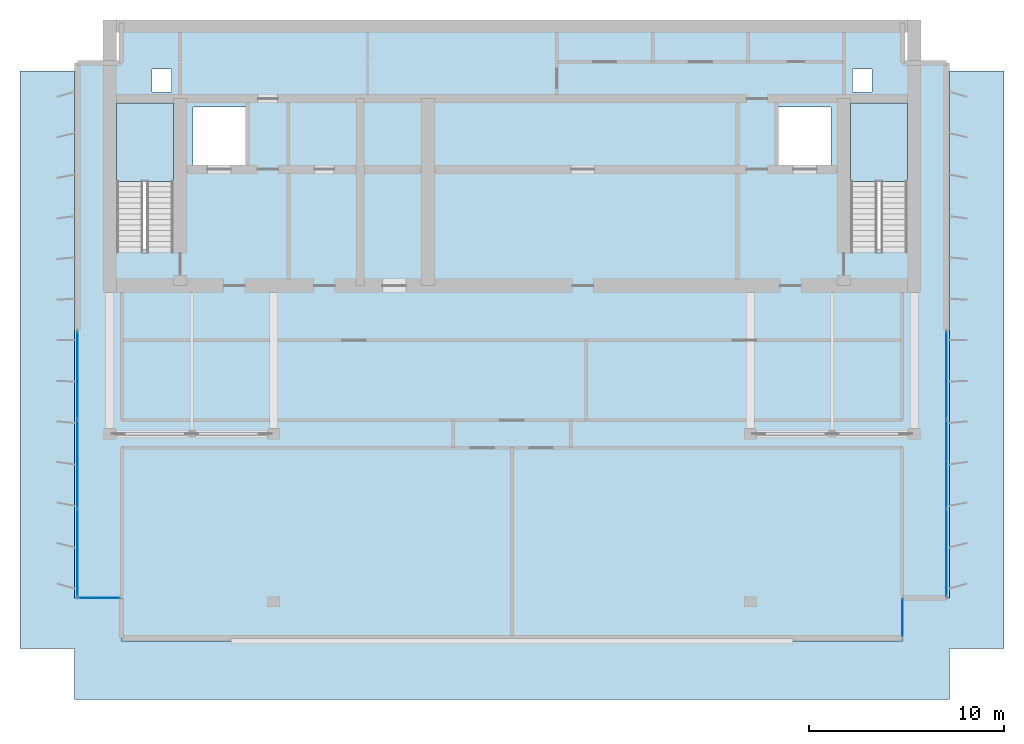
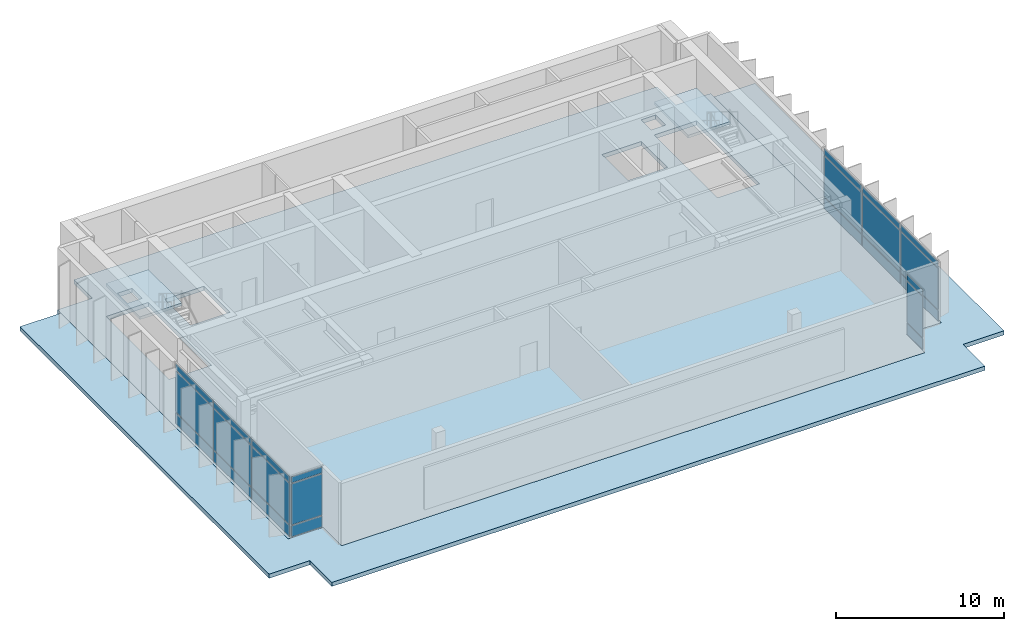
# One storey, part 4 of 10: 24 plates, 4 slabs, 6 elements without a shape of their own.
"""IFC4 building model written with IfcOpenShell, lengths in metres."""

import ifcopenshell
import ifcopenshell.guid

model = None  # the IFC model being written
_history = None  # IfcOwnerHistory: only IFC2X3 demands one
_inside = {}  # id of a spatial element -> (the spatial element, [elements in it])
_under = {}  # id of a project, library or spatial element -> (it, [spatial elements below it])
_declared = {}  # id of a project -> (the project, [libraries it declares])
_typed = {}  # id of a type object -> (the type object, [elements of that type])
_made_of = {}  # id of a material, layer set ... -> (it, [elements and type objects made of it])


def new_model(schema):
    """Start an empty IFC model of exactly this schema.

    Asked for "IFC4X3", IfcOpenShell would pick the latest addendum, in which some entities
    have other attributes; the version numbers below select the first issue.
    IFC2X3 requires an IfcOwnerHistory on every rooted entity: one is made here for all.
    """
    global model, _history
    if schema == "IFC4X3":
        model = ifcopenshell.file(schema_version=(4, 3, 0, 0))
    else:
        model = ifcopenshell.file(schema=schema)
    _inside.clear()
    _under.clear()
    _declared.clear()
    _typed.clear()
    _made_of.clear()
    _history = None
    if model.schema == "IFC2X3":
        org = make("IfcOrganization", Name="unknown")
        user = make(
            "IfcPersonAndOrganization",
            ThePerson=make("IfcPerson", FamilyName="unknown"),
            TheOrganization=org,
        )
        app = make(
            "IfcApplication",
            ApplicationDeveloper=org,
            Version="unknown",
            ApplicationFullName="unknown",
            ApplicationIdentifier="unknown",
        )
        _history = make(
            "IfcOwnerHistory",
            OwningUser=user,
            OwningApplication=app,
            ChangeAction="ADDED",
            CreationDate=0,
        )
    return model


def make(cls, **values):
    """One entity of the class cls with the attributes given. An attribute that is None is left unset."""
    return model.create_entity(
        cls, **{name: value for name, value in values.items() if value is not None}
    )


def rooted(cls, **values):
    """An entity with a GlobalId (a new one), such as an element, a storey or a relation."""
    return make(cls, GlobalId=ifcopenshell.guid.new(), OwnerHistory=_history, **values)


def si_unit(unit_type, name, prefix=None):
    """IfcSIUnit, for example si_unit("LENGTHUNIT", "METRE", prefix="MILLI")."""
    return make("IfcSIUnit", UnitType=unit_type, Prefix=prefix, Name=name)


def assignment(units):
    """IfcUnitAssignment: the units of a project."""
    return None if units is None else make("IfcUnitAssignment", Units=units)


def point(xyz):
    """IfcCartesianPoint."""
    return None if xyz is None else make("IfcCartesianPoint", Coordinates=xyz)


def direction(xyz):
    """IfcDirection."""
    return None if xyz is None else make("IfcDirection", DirectionRatios=xyz)


def frame(location, z_axis=None, x_axis=None):
    """IfcAxis2Placement3D, a coordinate frame: its origin and axes. An axis left out is left unset."""
    return make(
        "IfcAxis2Placement3D",
        Location=point(location),
        Axis=direction(z_axis),
        RefDirection=direction(x_axis),
    )


def frame_2d(location, x_axis=None):
    """IfcAxis2Placement2D, a coordinate frame in the plane: its origin and x axis."""
    return make(
        "IfcAxis2Placement2D", Location=point(location), RefDirection=direction(x_axis)
    )


def origin():
    """The frame at (0, 0, 0) with its axes left unset."""
    return frame((0.0, 0.0, 0.0))


def origin_2d():
    """The frame at (0, 0) in the plane with its x axis left unset."""
    return frame_2d((0.0, 0.0))


def place(relative_to, where):
    """IfcLocalPlacement: puts the frame where relative to a parent placement (None: the world)."""
    return make(
        "IfcLocalPlacement", PlacementRelTo=relative_to, RelativePlacement=where
    )


def context(
    kind, dimensions, precision=None, world=None, true_north=None, identifier=None
):
    """IfcGeometricRepresentationContext, for example the 3D "Model" context."""
    return make(
        "IfcGeometricRepresentationContext",
        ContextIdentifier=identifier,
        ContextType=kind,
        CoordinateSpaceDimension=dimensions,
        Precision=precision,
        WorldCoordinateSystem=world,
        TrueNorth=true_north,
    )


def subcontext(parent, identifier, kind, view, scale=None):
    """IfcGeometricRepresentationSubContext, for example "Body" below "Model"."""
    return make(
        "IfcGeometricRepresentationSubContext",
        ContextIdentifier=identifier,
        ContextType=kind,
        ParentContext=parent,
        TargetScale=scale,
        TargetView=view,
    )


def project(units=None, contexts=None):
    """IfcProject with its units and contexts."""
    return rooted(
        "IfcProject",
        Name="project",
        RepresentationContexts=contexts,
        UnitsInContext=assignment(units),
    )


def spatial(cls, under=None, at=None, **own):
    """A site, building, storey or space (cls), placed at a placement, below another one or the project."""
    s = rooted(cls, ObjectPlacement=at, **own)
    if under is not None:
        _under.setdefault(under.id(), (under, []))[1].append(s)
    return s


def polyline(points):
    """IfcPolyline through the points."""
    return make("IfcPolyline", Points=[point(p) for p in points])


def profile(cls, at=None, kind="AREA", **sizes):
    """A parametric profile (cls). Its sizes go by their IFC names, for example OverallWidth=200.0."""
    return make(cls, ProfileType=kind, Position=at, **sizes)


def rectangle(**sizes):
    """IfcRectangleProfileDef."""
    return profile("IfcRectangleProfileDef", **sizes)


def outline(outer, holes=None, kind="AREA"):
    """IfcArbitraryClosedProfileDef: a profile drawn as a closed curve; with holes, ...WithVoids."""
    if holes is None:
        return make("IfcArbitraryClosedProfileDef", ProfileType=kind, OuterCurve=outer)
    return make(
        "IfcArbitraryProfileDefWithVoids",
        ProfileType=kind,
        OuterCurve=outer,
        InnerCurves=holes,
    )


def extrude(swept, where, along, depth):
    """IfcExtrudedAreaSolid: the profile swept, set in the frame where, extruded along a direction by depth."""
    return make(
        "IfcExtrudedAreaSolid",
        SweptArea=swept,
        Position=where,
        ExtrudedDirection=direction(along),
        Depth=depth,
    )


def shape(context_of_items, identifier, shape_type, items):
    """IfcShapeRepresentation: the items that make up one representation, for example the "Body"."""
    return make(
        "IfcShapeRepresentation",
        ContextOfItems=context_of_items,
        RepresentationIdentifier=identifier,
        RepresentationType=shape_type,
        Items=items,
    )


def material(Name=None, Category=None):
    """IfcMaterial."""
    return make("IfcMaterial", Name=Name, Category=Category)


def layer(
    of_material, thickness, ventilated=None, Name=None, Category=None, Priority=None
):
    """IfcMaterialLayer: one layer of a wall or slab, of a material (None: an air gap)."""
    return make(
        "IfcMaterialLayer",
        Material=of_material,
        LayerThickness=thickness,
        IsVentilated=ventilated,
        Name=Name,
        Category=Category,
        Priority=Priority,
    )


def layer_set(layers, Name=None):
    """IfcMaterialLayerSet."""
    return make("IfcMaterialLayerSet", MaterialLayers=layers, LayerSetName=Name)


def made_of(thing, what):
    """Note that an element or type object is made of a material, layer set ...; save() writes the relation."""
    if what is not None:
        _made_of.setdefault(what.id(), (what, []))[1].append(thing)
    return thing


def type_object(cls, material=None, **own):
    """A type object (cls), such as IfcWallType, which elements share."""
    return made_of(rooted(cls, **own), material)


def element(
    cls,
    number,
    at=None,
    inside=None,
    cuts=None,
    type_object=None,
    material=None,
    context=None,
    identifier="Body",
    shape_type=None,
    held_by="IfcProductDefinitionShape",
    body=None,
    shapes=None,
    **own,
):
    """One element of the class cls, such as IfcWall. Its Tag is "e" and its number.

    at: its placement. inside: the storey or other place that contains it. cuts: it is an
    opening in that element (IfcRelVoidsElement). A single representation is given by context,
    identifier, shape_type and body (its items); several are given by shapes. held_by: the class
    of the entity that holds the representations. save() writes the other relations.
    """
    e = rooted(cls, Tag="e%d" % number, ObjectPlacement=at, **own)
    if body is not None:
        shapes = [shape(context, identifier, shape_type, body)]
    if shapes is not None:
        e.Representation = make(held_by, Representations=shapes)
    if inside is not None:
        _inside.setdefault(inside.id(), (inside, []))[1].append(e)
    if cuts is not None:
        rooted(
            "IfcRelVoidsElement", RelatingBuildingElement=cuts, RelatedOpeningElement=e
        )
    if type_object is not None:
        _typed.setdefault(type_object.id(), (type_object, []))[1].append(e)
    return made_of(e, material)


def aggregate(whole, parts):
    """IfcRelAggregates: a whole, such as a stair, and the parts it consists of."""
    return rooted("IfcRelAggregates", RelatingObject=whole, RelatedObjects=parts)


def save(model, path):
    """Write the relations noted so far, then the file.

    IfcRelAggregates (storeys below a building ...), IfcRelContainedInSpatialStructure (elements
    in a storey), IfcRelDefinesByType, IfcRelAssociatesMaterial and IfcRelDeclares: one each for
    every whole, place, type object, material and project.
    """
    for whole, parts in _under.values():
        aggregate(whole, parts)
    for where, things in _inside.values():
        rooted(
            "IfcRelContainedInSpatialStructure",
            RelatedElements=things,
            RelatingStructure=where,
        )
    for kind, things in _typed.values():
        rooted("IfcRelDefinesByType", RelatedObjects=things, RelatingType=kind)
    for what, things in _made_of.values():
        rooted("IfcRelAssociatesMaterial", RelatedObjects=things, RelatingMaterial=what)
    for by, libraries in _declared.values():
        rooted("IfcRelDeclares", RelatingContext=by, RelatedDefinitions=libraries)
    model.write(path)


model = new_model("IFC4")

# Units and contexts
model_context = context("Model", 3, precision=1e-05, world=origin(), true_north=direction((0.0, 1.0)))
body_context = subcontext(model_context, "Body", "Model", "MODEL_VIEW")
ifc_project = project(units=[si_unit("LENGTHUNIT", "METRE"), si_unit("AREAUNIT", "SQUARE_METRE"), si_unit("VOLUMEUNIT", "CUBIC_METRE"), si_unit("PLANEANGLEUNIT", "RADIAN"), si_unit("MASSUNIT", "GRAM", prefix="KILO")], contexts=[model_context])

# Site, building, storey
site_placement = place(None, origin())
site = spatial("IfcSite", under=ifc_project, at=site_placement, CompositionType="ELEMENT")
building_placement = place(site_placement, origin())
building = spatial("IfcBuilding", under=site, at=building_placement, Name="Caelmar Bay Residences", CompositionType="ELEMENT")
storey_placement = place(building_placement, frame((0.0, 0.0, 295.60009765625)))
storey = spatial("IfcBuildingStorey", under=building, at=storey_placement, Name="L81", CompositionType="ELEMENT", Elevation=295.60009765625)

# Curtain wall, plates
ifc_material_1 = material(Name="Anodised bronze aluminium 6063-T6 and laminated glass", Category="aluminium")
ifc_layer_1 = layer(ifc_material_1, 0.179931640625)
ifc_layer_set_1 = layer_set([ifc_layer_1], Name="Anodised bronze aluminium 6063-T6 and laminated glass")
curtain_wall_type_1 = type_object("IfcCurtainWallType", Name="CW6-NTC", PredefinedType="NOTDEFINED", material=ifc_layer_set_1)
curtain_wall_1_placement = place(storey_placement, origin())
curtain_wall_1 = element("IfcCurtainWall", 1, at=curtain_wall_1_placement, inside=storey, type_object=curtain_wall_type_1, Name="CW6 curtain wall L81", PredefinedType="NOTDEFINED")
ifc_material_2 = material(Name="Bronze-tinted laminated low-E hurricane glass 28 mm", Category="glass")
ifc_layer_2 = layer(ifc_material_2, 0.028076171875)
ifc_layer_set_2 = layer_set([ifc_layer_2], Name="Bronze-tinted laminated low-E hurricane glass 28 mm")
plate_type_1 = type_object("IfcPlateType", Name="CWP-GLZ28", PredefinedType="CURTAIN_PANEL", material=ifc_layer_set_2)
plate_1_placement = place(storey_placement, frame((17.77490234375, 21.0, 0.080078125), z_axis=(0.0, 0.0, 1.0), x_axis=(1.0, 0.0, 0.0)))
plate_1 = element("IfcPlate", 2, at=plate_1_placement, type_object=plate_type_1, Name="CW6 panel 1.1", PredefinedType="CURTAIN_PANEL", context=body_context, shape_type="SweptSolid", body=[
    extrude(rectangle(XDim=2.090087890625, YDim=0.028076171875, at=origin_2d()), origin(), (0.0, 0.0, 1.0), 0.780029296875),
])
plate_2_placement = place(storey_placement, frame((17.77490234375, 21.0, 0.93994140625), z_axis=(0.0, 0.0, 1.0), x_axis=(1.0, 0.0, 0.0)))
plate_2 = element("IfcPlate", 3, at=plate_2_placement, type_object=plate_type_1, Name="CW6 panel 1.2", PredefinedType="CURTAIN_PANEL", context=body_context, shape_type="SweptSolid", body=[
    extrude(rectangle(XDim=2.090087890625, YDim=0.028076171875, at=origin_2d()), origin(), (0.0, 0.0, 1.0), 2.969970703125),
])
plate_3_placement = place(storey_placement, frame((17.77490234375, 21.0, 3.98974609375), z_axis=(0.0, 0.0, 1.0), x_axis=(1.0, 0.0, 0.0)))
plate_3 = element("IfcPlate", 4, at=plate_3_placement, type_object=plate_type_1, Name="CW6 panel 1.3", PredefinedType="CURTAIN_PANEL", context=body_context, shape_type="SweptSolid", body=[
    extrude(rectangle(XDim=2.090087890625, YDim=0.028076171875, at=origin_2d()), origin(), (0.0, 0.0, 1.0), 0.429931640625),
])
aggregate(curtain_wall_1, [plate_1, plate_2, plate_3])

curtain_wall_2_placement = place(storey_placement, origin())
curtain_wall_2 = element("IfcCurtainWall", 5, at=curtain_wall_2_placement, inside=storey, type_object=curtain_wall_type_1, Name="CW6 curtain wall L81", PredefinedType="NOTDEFINED")
plate_4_placement = place(storey_placement, frame((58.89990234375, 19.97509765625, 0.080078125), z_axis=(0.0, 0.0, 1.0), x_axis=(0.0, 1.0, 0.0)))
plate_4 = element("IfcPlate", 6, at=plate_4_placement, type_object=plate_type_1, Name="CW6 panel 1.1", PredefinedType="CURTAIN_PANEL", context=body_context, shape_type="SweptSolid", body=[
    extrude(rectangle(XDim=1.889892578125, YDim=0.028076171875, at=origin_2d()), origin(), (0.0, 0.0, 1.0), 0.780029296875),
])
plate_5_placement = place(storey_placement, frame((58.89990234375, 19.97509765625, 0.93994140625), z_axis=(0.0, 0.0, 1.0), x_axis=(0.0, 1.0, 0.0)))
plate_5 = element("IfcPlate", 7, at=plate_5_placement, type_object=plate_type_1, Name="CW6 panel 1.2", PredefinedType="CURTAIN_PANEL", context=body_context, shape_type="SweptSolid", body=[
    extrude(rectangle(XDim=1.889892578125, YDim=0.028076171875, at=origin_2d()), origin(), (0.0, 0.0, 1.0), 2.969970703125),
])
plate_6_placement = place(storey_placement, frame((58.89990234375, 19.97509765625, 3.98974609375), z_axis=(0.0, 0.0, 1.0), x_axis=(0.0, 1.0, 0.0)))
plate_6 = element("IfcPlate", 8, at=plate_6_placement, type_object=plate_type_1, Name="CW6 panel 1.3", PredefinedType="CURTAIN_PANEL", context=body_context, shape_type="SweptSolid", body=[
    extrude(rectangle(XDim=1.889892578125, YDim=0.028076171875, at=origin_2d()), origin(), (0.0, 0.0, 1.0), 0.429931640625),
])
aggregate(curtain_wall_2, [plate_4, plate_5, plate_6])

ifc_layer_3 = layer(ifc_material_1, 0.179931640625)
ifc_layer_set_3 = layer_set([ifc_layer_3], Name="Anodised bronze aluminium 6063-T6 and laminated glass")
curtain_wall_type_2 = type_object("IfcCurtainWallType", Name="CW7-CRN", PredefinedType="NOTDEFINED", material=ifc_layer_set_3)
curtain_wall_3_placement = place(storey_placement, origin())
curtain_wall_3 = element("IfcCurtainWall", 9, at=curtain_wall_3_placement, inside=storey, type_object=curtain_wall_type_2, Name="CW7 curtain wall L81", PredefinedType="NOTDEFINED")
ifc_material_3 = material(Name="Bronze-tinted laminated low-E hurricane glass 32 mm", Category="glass")
ifc_layer_4 = layer(ifc_material_3, 0.031982421875)
ifc_layer_set_4 = layer_set([ifc_layer_4], Name="Bronze-tinted laminated low-E hurricane glass 32 mm")
plate_type_2 = type_object("IfcPlateType", Name="CWP-GLZ32", PredefinedType="CURTAIN_PANEL", material=ifc_layer_set_4)
plate_7_placement = place(storey_placement, frame((16.64990234375, 23.30322265625, 0.080078125), z_axis=(0.0, 0.0, 1.0), x_axis=(0.0, 1.0, 0.0)))
plate_7 = element("IfcPlate", 10, at=plate_7_placement, type_object=plate_type_2, Name="CW7 panel 1.1", PredefinedType="CURTAIN_PANEL", context=body_context, shape_type="SweptSolid", body=[
    extrude(rectangle(XDim=4.44677734375, YDim=0.031982421875, at=origin_2d()), origin(), (0.0, 0.0, 1.0), 0.780029296875),
])
plate_8_placement = place(storey_placement, frame((16.64990234375, 23.30322265625, 0.93994140625), z_axis=(0.0, 0.0, 1.0), x_axis=(0.0, 1.0, 0.0)))
plate_8 = element("IfcPlate", 11, at=plate_8_placement, type_object=plate_type_2, Name="CW7 panel 1.2", PredefinedType="CURTAIN_PANEL", context=body_context, shape_type="SweptSolid", body=[
    extrude(rectangle(XDim=4.44677734375, YDim=0.031982421875, at=origin_2d()), origin(), (0.0, 0.0, 1.0), 2.969970703125),
])
plate_9_placement = place(storey_placement, frame((16.64990234375, 23.30322265625, 3.98974609375), z_axis=(0.0, 0.0, 1.0), x_axis=(0.0, 1.0, 0.0)))
plate_9 = element("IfcPlate", 12, at=plate_9_placement, type_object=plate_type_2, Name="CW7 panel 1.3", PredefinedType="CURTAIN_PANEL", context=body_context, shape_type="SweptSolid", body=[
    extrude(rectangle(XDim=4.44677734375, YDim=0.031982421875, at=origin_2d()), origin(), (0.0, 0.0, 1.0), 0.429931640625),
])
plate_10_placement = place(storey_placement, frame((16.64990234375, 27.85009765625, 0.080078125), z_axis=(0.0, 0.0, 1.0), x_axis=(0.0, 1.0, 0.0)))
plate_10 = element("IfcPlate", 13, at=plate_10_placement, type_object=plate_type_2, Name="CW7 panel 2.1", PredefinedType="CURTAIN_PANEL", context=body_context, shape_type="SweptSolid", body=[
    extrude(rectangle(XDim=4.486572265625, YDim=0.031982421875, at=origin_2d()), origin(), (0.0, 0.0, 1.0), 0.780029296875),
])
plate_11_placement = place(storey_placement, frame((16.64990234375, 27.85009765625, 0.93994140625), z_axis=(0.0, 0.0, 1.0), x_axis=(0.0, 1.0, 0.0)))
plate_11 = element("IfcPlate", 14, at=plate_11_placement, type_object=plate_type_2, Name="CW7 panel 2.2", PredefinedType="CURTAIN_PANEL", context=body_context, shape_type="SweptSolid", body=[
    extrude(rectangle(XDim=4.486572265625, YDim=0.031982421875, at=origin_2d()), origin(), (0.0, 0.0, 1.0), 2.969970703125),
])
plate_12_placement = place(storey_placement, frame((16.64990234375, 27.85009765625, 3.98974609375), z_axis=(0.0, 0.0, 1.0), x_axis=(0.0, 1.0, 0.0)))
plate_12 = element("IfcPlate", 15, at=plate_12_placement, type_object=plate_type_2, Name="CW7 panel 2.3", PredefinedType="CURTAIN_PANEL", context=body_context, shape_type="SweptSolid", body=[
    extrude(rectangle(XDim=4.486572265625, YDim=0.031982421875, at=origin_2d()), origin(), (0.0, 0.0, 1.0), 0.429931640625),
])
plate_13_placement = place(storey_placement, frame((16.64990234375, 32.396728515625, 0.080078125), z_axis=(0.0, 0.0, 1.0), x_axis=(0.0, 1.0, 0.0)))
plate_13 = element("IfcPlate", 16, at=plate_13_placement, type_object=plate_type_2, Name="CW7 panel 3.1", PredefinedType="CURTAIN_PANEL", context=body_context, shape_type="SweptSolid", body=[
    extrude(rectangle(XDim=4.44677734375, YDim=0.031982421875, at=origin_2d()), origin(), (0.0, 0.0, 1.0), 0.780029296875),
])
plate_14_placement = place(storey_placement, frame((16.64990234375, 32.396728515625, 0.93994140625), z_axis=(0.0, 0.0, 1.0), x_axis=(0.0, 1.0, 0.0)))
plate_14 = element("IfcPlate", 17, at=plate_14_placement, type_object=plate_type_2, Name="CW7 panel 3.2", PredefinedType="CURTAIN_PANEL", context=body_context, shape_type="SweptSolid", body=[
    extrude(rectangle(XDim=4.44677734375, YDim=0.031982421875, at=origin_2d()), origin(), (0.0, 0.0, 1.0), 2.969970703125),
])
plate_15_placement = place(storey_placement, frame((16.64990234375, 32.396728515625, 3.98974609375), z_axis=(0.0, 0.0, 1.0), x_axis=(0.0, 1.0, 0.0)))
plate_15 = element("IfcPlate", 18, at=plate_15_placement, type_object=plate_type_2, Name="CW7 panel 3.3", PredefinedType="CURTAIN_PANEL", context=body_context, shape_type="SweptSolid", body=[
    extrude(rectangle(XDim=4.44677734375, YDim=0.031982421875, at=origin_2d()), origin(), (0.0, 0.0, 1.0), 0.429931640625),
])
aggregate(curtain_wall_3, [plate_7, plate_8, plate_9, plate_10, plate_11, plate_12, plate_13, plate_14, plate_15])

curtain_wall_4_placement = place(storey_placement, origin())
curtain_wall_4 = element("IfcCurtainWall", 19, at=curtain_wall_4_placement, inside=storey, type_object=curtain_wall_type_2, Name="CW7 curtain wall L81", PredefinedType="NOTDEFINED")
plate_16_placement = place(storey_placement, frame((61.14990234375, 32.396728515625, 0.080078125), z_axis=(0.0, 0.0, 1.0), x_axis=(0.0, -1.0, 0.0)))
plate_16 = element("IfcPlate", 20, at=plate_16_placement, type_object=plate_type_2, Name="CW7 panel 1.1", PredefinedType="CURTAIN_PANEL", context=body_context, shape_type="SweptSolid", body=[
    extrude(rectangle(XDim=4.44677734375, YDim=0.031982421875, at=origin_2d()), origin(), (0.0, 0.0, 1.0), 0.780029296875),
])
plate_17_placement = place(storey_placement, frame((61.14990234375, 32.396728515625, 0.93994140625), z_axis=(0.0, 0.0, 1.0), x_axis=(0.0, -1.0, 0.0)))
plate_17 = element("IfcPlate", 21, at=plate_17_placement, type_object=plate_type_2, Name="CW7 panel 1.2", PredefinedType="CURTAIN_PANEL", context=body_context, shape_type="SweptSolid", body=[
    extrude(rectangle(XDim=4.44677734375, YDim=0.031982421875, at=origin_2d()), origin(), (0.0, 0.0, 1.0), 2.969970703125),
])
plate_18_placement = place(storey_placement, frame((61.14990234375, 32.396728515625, 3.98974609375), z_axis=(0.0, 0.0, 1.0), x_axis=(0.0, -1.0, 0.0)))
plate_18 = element("IfcPlate", 22, at=plate_18_placement, type_object=plate_type_2, Name="CW7 panel 1.3", PredefinedType="CURTAIN_PANEL", context=body_context, shape_type="SweptSolid", body=[
    extrude(rectangle(XDim=4.44677734375, YDim=0.031982421875, at=origin_2d()), origin(), (0.0, 0.0, 1.0), 0.429931640625),
])
plate_19_placement = place(storey_placement, frame((61.14990234375, 27.85009765625, 0.080078125), z_axis=(0.0, 0.0, 1.0), x_axis=(0.0, -1.0, 0.0)))
plate_19 = element("IfcPlate", 23, at=plate_19_placement, type_object=plate_type_2, Name="CW7 panel 2.1", PredefinedType="CURTAIN_PANEL", context=body_context, shape_type="SweptSolid", body=[
    extrude(rectangle(XDim=4.486572265625, YDim=0.031982421875, at=origin_2d()), origin(), (0.0, 0.0, 1.0), 0.780029296875),
])
plate_20_placement = place(storey_placement, frame((61.14990234375, 27.85009765625, 0.93994140625), z_axis=(0.0, 0.0, 1.0), x_axis=(0.0, -1.0, 0.0)))
plate_20 = element("IfcPlate", 24, at=plate_20_placement, type_object=plate_type_2, Name="CW7 panel 2.2", PredefinedType="CURTAIN_PANEL", context=body_context, shape_type="SweptSolid", body=[
    extrude(rectangle(XDim=4.486572265625, YDim=0.031982421875, at=origin_2d()), origin(), (0.0, 0.0, 1.0), 2.969970703125),
])
plate_21_placement = place(storey_placement, frame((61.14990234375, 27.85009765625, 3.98974609375), z_axis=(0.0, 0.0, 1.0), x_axis=(0.0, -1.0, 0.0)))
plate_21 = element("IfcPlate", 25, at=plate_21_placement, type_object=plate_type_2, Name="CW7 panel 2.3", PredefinedType="CURTAIN_PANEL", context=body_context, shape_type="SweptSolid", body=[
    extrude(rectangle(XDim=4.486572265625, YDim=0.031982421875, at=origin_2d()), origin(), (0.0, 0.0, 1.0), 0.429931640625),
])
plate_22_placement = place(storey_placement, frame((61.14990234375, 23.30322265625, 0.080078125), z_axis=(0.0, 0.0, 1.0), x_axis=(0.0, -1.0, 0.0)))
plate_22 = element("IfcPlate", 26, at=plate_22_placement, type_object=plate_type_2, Name="CW7 panel 3.1", PredefinedType="CURTAIN_PANEL", context=body_context, shape_type="SweptSolid", body=[
    extrude(rectangle(XDim=4.44677734375, YDim=0.031982421875, at=origin_2d()), origin(), (0.0, 0.0, 1.0), 0.780029296875),
])
plate_23_placement = place(storey_placement, frame((61.14990234375, 23.30322265625, 0.93994140625), z_axis=(0.0, 0.0, 1.0), x_axis=(0.0, -1.0, 0.0)))
plate_23 = element("IfcPlate", 27, at=plate_23_placement, type_object=plate_type_2, Name="CW7 panel 3.2", PredefinedType="CURTAIN_PANEL", context=body_context, shape_type="SweptSolid", body=[
    extrude(rectangle(XDim=4.44677734375, YDim=0.031982421875, at=origin_2d()), origin(), (0.0, 0.0, 1.0), 2.969970703125),
])
plate_24_placement = place(storey_placement, frame((61.14990234375, 23.30322265625, 3.98974609375), z_axis=(0.0, 0.0, 1.0), x_axis=(0.0, -1.0, 0.0)))
plate_24 = element("IfcPlate", 28, at=plate_24_placement, type_object=plate_type_2, Name="CW7 panel 3.3", PredefinedType="CURTAIN_PANEL", context=body_context, shape_type="SweptSolid", body=[
    extrude(rectangle(XDim=4.44677734375, YDim=0.031982421875, at=origin_2d()), origin(), (0.0, 0.0, 1.0), 0.429931640625),
])
aggregate(curtain_wall_4, [plate_16, plate_17, plate_18, plate_19, plate_20, plate_21, plate_22, plate_23, plate_24])

# Slab
ifc_material_4 = material(Name="Concrete f'c 40 MPa (6,000 psi)", Category="concrete")
ifc_layer_5 = layer(ifc_material_4, 0.300048828125)
ifc_layer_set_5 = layer_set([ifc_layer_5], Name="Concrete f'c 40 MPa (6,000 psi)")
slab_type_1 = type_object("IfcSlabType", Name="SLB-CRN-300", PredefinedType="ROOF", material=ifc_layer_set_5)
slab_1_placement = place(storey_placement, frame((0.0, 0.0, -0.300048828125)))
element("IfcSlab", 29, at=slab_1_placement, inside=storey, type_object=slab_type_1, Name="L81 Exterior Stepped Terrace Roof Slab 1", PredefinedType="ROOF", context=body_context, shape_type="SweptSolid", body=[
    extrude(outline(polyline([(61.300048828125, 48.0), (61.300048828125, 21.0), (58.89990234375, 21.0), (58.89990234375, 18.800048828125), (18.89990234375, 18.800048828125), (18.89990234375, 21.0), (16.5, 21.0), (16.5, 48.0), (13.699951171875, 48.0), (13.699951171875, 18.39990234375), (16.5, 18.39990234375), (16.5, 15.800048828125), (61.300048828125, 15.800048828125), (61.300048828125, 18.39990234375), (64.10009765625, 18.39990234375), (64.10009765625, 48.0), (61.300048828125, 48.0)])), origin(), (0.0, 0.0, 1.0), 0.300048828125),
])

# Stair, slab
stair_type = type_object("IfcStairType", Name="ST-TAL-170", PredefinedType="HALF_TURN_STAIR", material=ifc_material_4)
stair_1_placement = place(storey_placement, origin())
stair_1 = element("IfcStair", 30, at=stair_1_placement, inside=storey, type_object=stair_type, Name="L81 West Smokeproof Exit Stair ST1", PredefinedType="HALF_TURN_STAIR")
ifc_layer_6 = layer(ifc_material_4, 0.199951171875)
ifc_layer_set_6 = layer_set([ifc_layer_6], Name="Concrete f'c 40 MPa (6,000 psi)")
slab_type_2 = type_object("IfcSlabType", Name="SLB-LND-200", PredefinedType="LANDING", material=ifc_layer_set_6)
slab_2_placement = place(storey_placement, frame((0.0, 0.0, 2.199951171875)))
slab_2 = element("IfcSlab", 31, at=slab_2_placement, type_object=slab_type_2, Name="ST1 landing 1", PredefinedType="LANDING", context=body_context, shape_type="SweptSolid", body=[
    extrude(outline(polyline([(21.550048828125, 42.340087890625), (21.550048828125, 46.35009765625), (18.64990234375, 46.35009765625), (18.64990234375, 42.340087890625), (21.550048828125, 42.340087890625)])), origin(), (0.0, 0.0, 1.0), 0.199951171875),
])
aggregate(stair_1, [slab_2])

stair_2_placement = place(storey_placement, origin())
stair_2 = element("IfcStair", 32, at=stair_2_placement, inside=storey, type_object=stair_type, Name="L81 East Smokeproof Exit Stair ST2", PredefinedType="HALF_TURN_STAIR")
slab_3_placement = place(storey_placement, frame((0.0, 0.0, 2.199951171875)))
slab_3 = element("IfcSlab", 33, at=slab_3_placement, type_object=slab_type_2, Name="ST2 landing 1", PredefinedType="LANDING", context=body_context, shape_type="SweptSolid", body=[
    extrude(outline(polyline([(59.14990234375, 42.340087890625), (59.14990234375, 46.35009765625), (56.25, 46.35009765625), (56.25, 42.340087890625), (59.14990234375, 42.340087890625)])), origin(), (0.0, 0.0, 1.0), 0.199951171875),
])
aggregate(stair_2, [slab_3])

# Slab
ifc_layer_7 = layer(ifc_material_4, 0.300048828125)
ifc_layer_set_7 = layer_set([ifc_layer_7], Name="Concrete f'c 40 MPa (6,000 psi)")
slab_type_3 = type_object("IfcSlabType", Name="SLB-POD-300", PredefinedType="FLOOR", material=ifc_layer_set_7)
slab_4_placement = place(storey_placement, frame((0.0, 0.0, -0.300048828125)))
element("IfcSlab", 34, at=slab_4_placement, inside=storey, type_object=slab_type_3, Name="L81 Structural Floor Slab", PredefinedType="FLOOR", context=body_context, shape_type="SweptSolid", body=[
    extrude(outline(polyline([(18.89990234375, 18.800048828125), (58.89990234375, 18.800048828125), (58.89990234375, 21.0), (61.300048828125, 21.0), (61.300048828125, 48.39990234375), (58.89990234375, 48.39990234375), (58.89990234375, 50.60009765625), (18.89990234375, 50.60009765625), (18.89990234375, 48.39990234375), (16.5, 48.39990234375), (16.5, 21.0), (18.89990234375, 21.0), (18.89990234375, 18.800048828125)]), holes=[polyline([(18.64990234375, 38.85009765625), (21.550048828125, 38.85009765625), (21.550048828125, 46.35009765625), (18.64990234375, 46.35009765625), (18.64990234375, 38.85009765625)]), polyline([(56.25, 38.85009765625), (59.14990234375, 38.85009765625), (59.14990234375, 46.35009765625), (56.25, 46.35009765625), (56.25, 38.85009765625)]), polyline([(22.550048828125, 43.050048828125), (25.25, 43.050048828125), (25.25, 46.14990234375), (22.550048828125, 46.14990234375), (22.550048828125, 43.050048828125)]), polyline([(52.550048828125, 43.050048828125), (55.25, 43.050048828125), (55.25, 46.14990234375), (52.550048828125, 46.14990234375), (52.550048828125, 43.050048828125)]), polyline([(20.449951171875, 46.89990234375), (21.449951171875, 46.89990234375), (21.449951171875, 48.10009765625), (20.449951171875, 48.10009765625), (20.449951171875, 46.89990234375)]), polyline([(56.35009765625, 46.89990234375), (57.35009765625, 46.89990234375), (57.35009765625, 48.10009765625), (56.35009765625, 48.10009765625), (56.35009765625, 46.89990234375)])]), origin(), (0.0, 0.0, 1.0), 0.300048828125),
])

save(model, "model.ifc")
